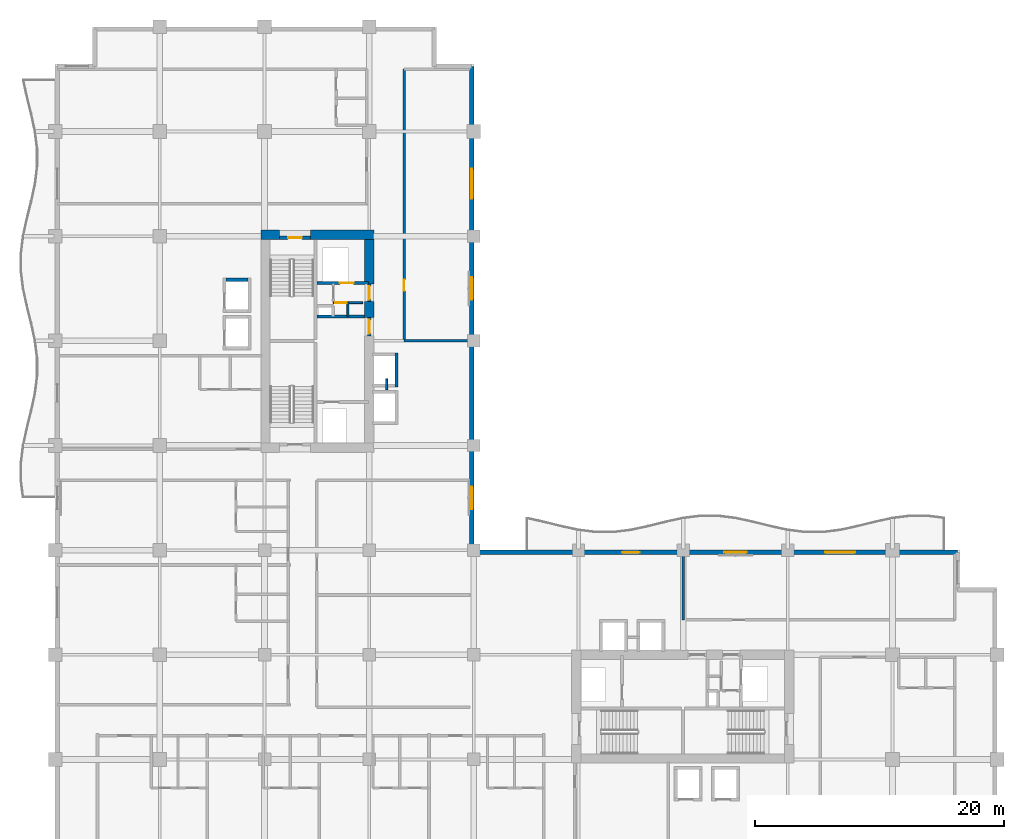
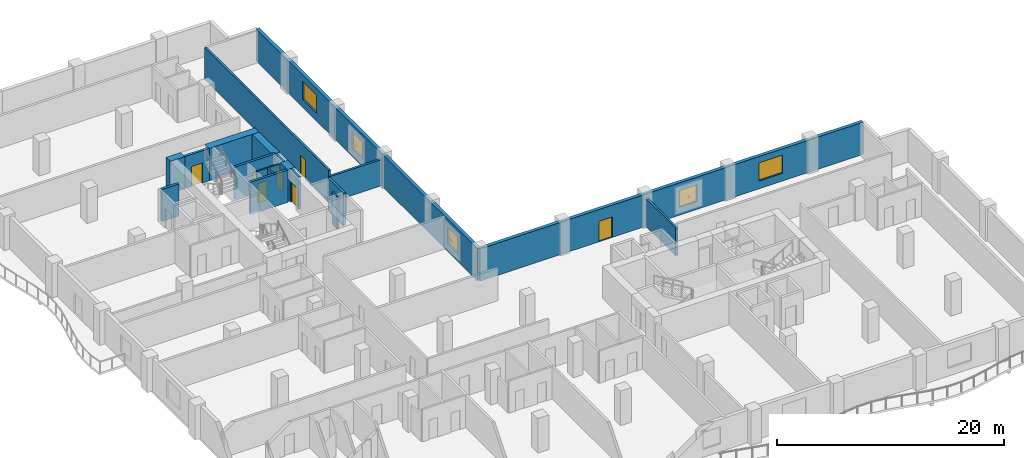
# One storey, part 8 of 16: 19 walls, 7 doors, 5 windows, 12 openings.
"""IFC4 building model written with IfcOpenShell, lengths in metres."""

from ifc_helpers import new_model, si_unit, direction, frame, frame_2d, origin, place, context, subcontext, project, spatial, rectangle, extrude, material, layer, layer_set, type_object, element, fill, save


model = new_model("IFC4")

# Units and contexts
model_context = context("Model", 3, precision=1e-05, world=origin(), true_north=direction((0.0, 1.0)))
body_context = subcontext(model_context, "Body", "Model", "MODEL_VIEW")
ifc_project = project(units=[si_unit("LENGTHUNIT", "METRE"), si_unit("AREAUNIT", "SQUARE_METRE"), si_unit("VOLUMEUNIT", "CUBIC_METRE"), si_unit("PLANEANGLEUNIT", "RADIAN"), si_unit("MASSUNIT", "GRAM", prefix="KILO")], contexts=[model_context])

# Site, building, storey
site_placement = place(None, origin())
site = spatial("IfcSite", under=ifc_project, at=site_placement, CompositionType="ELEMENT")
building_placement = place(site_placement, origin())
building = spatial("IfcBuilding", under=site, at=building_placement, Name="Koriwani Terraces Tower", CompositionType="ELEMENT")
storey_placement = place(building_placement, frame((0.0, 0.0, 171.699951171875)))
storey = spatial("IfcBuildingStorey", under=building, at=storey_placement, Name="L41", CompositionType="ELEMENT", Elevation=171.699951171875)

# Walls
ifc_material_1 = material(Name="Concrete C60/75", Category="concrete")
ifc_layer_1 = layer(ifc_material_1, 0.75, Name="Concrete C60/75")
ifc_layer_set_1 = layer_set([ifc_layer_1], Name="Concrete C60/75")
wall_type_1 = type_object("IfcWallType", Name="WALL_CORE_RC_750", PredefinedType="SHEAR", material=ifc_layer_set_1)
wall_1_placement = place(storey_placement, frame((16.5, 58.925048828125, 0.0), z_axis=(0.0, 0.0, 1.0), x_axis=(1.0, 0.0, 0.0)))
element("IfcWall", 1, at=wall_1_placement, inside=storey, type_object=wall_type_1, Name="L41 West Split Core Shear Wall N1", PredefinedType="SHEAR", context=body_context, shape_type="SweptSolid", body=[
    extrude(rectangle(XDim=1.5, YDim=0.75, at=frame_2d((0.75, 0.0))), origin(), (0.0, 0.0, 1.0), 3.469970703125),
])
wall_2_placement = place(storey_placement, frame((20.5, 58.925048828125, 0.0), z_axis=(0.0, 0.0, 1.0), x_axis=(1.0, 0.0, 0.0)))
element("IfcWall", 2, at=wall_2_placement, inside=storey, type_object=wall_type_1, Name="L41 West Split Core Shear Wall N2", PredefinedType="SHEAR", context=body_context, shape_type="SweptSolid", body=[
    extrude(rectangle(XDim=5.074951171875, YDim=0.75, at=frame_2d((2.53759765625, 0.0))), origin(), (0.0, 0.0, 1.0), 3.469970703125),
])
wall_3_placement = place(storey_placement, frame((25.199951171875, 52.280029296875, 0.0), z_axis=(0.0, 0.0, 1.0), x_axis=(0.0, 1.0, 0.0)))
element("IfcWall", 3, at=wall_3_placement, inside=storey, type_object=wall_type_1, Name="L41 West Split Core Shear Wall E2", PredefinedType="SHEAR", context=body_context, shape_type="SweptSolid", body=[
    extrude(rectangle(XDim=1.27001953125, YDim=0.75, at=frame_2d((0.635009765625, 0.0))), origin(), (0.0, 0.0, 1.0), 3.469970703125),
])
wall_4_placement = place(storey_placement, frame((25.199951171875, 54.949951171875, 0.0), z_axis=(0.0, 0.0, 1.0), x_axis=(0.0, 1.0, 0.0)))
element("IfcWall", 4, at=wall_4_placement, inside=storey, type_object=wall_type_1, Name="L41 West Split Core Shear Wall E3", PredefinedType="SHEAR", context=body_context, shape_type="SweptSolid", body=[
    extrude(rectangle(XDim=3.60009765625, YDim=0.75, at=frame_2d((1.800048828125, 0.0))), origin(), (0.0, 0.0, 1.0), 3.469970703125),
])

# Wall, opening, door
ifc_material_2 = material(Name="Autoclaved Cellular Concrete Blockwork", Category="masonry")
ifc_layer_2 = layer(ifc_material_2, 0.199951171875, Name="Autoclaved Cellular Concrete Blockwork")
ifc_layer_set_2 = layer_set([ifc_layer_2], Name="Autoclaved Cellular Concrete Blockwork")
wall_type_2 = type_object("IfcWallType", Name="WALL_CORRIDOR_200", PredefinedType="PARTITIONING", material=ifc_layer_set_2)
wall_5_placement = place(storey_placement, frame((28.0, 50.39990234375, 0.0), z_axis=(0.0, 0.0, 1.0), x_axis=(0.0, 1.0, 0.0)))
wall_5 = element("IfcWall", 5, at=wall_5_placement, inside=storey, type_object=wall_type_2, Name="L41 Interior Wall WNEC-W-L41", PredefinedType="PARTITIONING", context=body_context, shape_type="SweptSolid", body=[
    extrude(rectangle(XDim=21.800048828125, YDim=0.199951171875, at=frame_2d((10.89990234375, 0.0))), origin(), (0.0, 0.0, 1.0), 3.469970703125),
])
opening_1_placement = place(wall_5_placement, frame((4.0, 0.0, 0.0)))
opening_1 = element("IfcOpeningElement", 6, at=opening_1_placement, cuts=wall_5, Name="Opening D-06", PredefinedType="OPENING", context=body_context, shape_type="SweptSolid", body=[
    extrude(rectangle(XDim=0.919921875, YDim=2.10009765625, at=frame_2d((0.4599609375, 1.050048828125))), frame((0.0, 0.10986328125, 0.0), z_axis=(0.0, -1.0, 0.0), x_axis=(1.0, 0.0, 0.0)), (0.0, 0.0, 1.0), 0.219970703125),
])
ifc_material_3 = material(Name="Architectural Oak Fire Door", Category="wood")
door_type_1 = type_object("IfcDoorType", Name="DOOR_ROOM_INT_920X2100", OperationType="NOTDEFINED", PredefinedType="DOOR", material=ifc_material_3)
door_1_placement = place(opening_1_placement, origin())
door_1 = element("IfcDoor", 7, at=door_1_placement, inside=storey, type_object=door_type_1, Name="L41 North Court Study Door", OperationType="SINGLE_SWING_RIGHT", OverallHeight=2.10009765625, OverallWidth=0.919921875, PredefinedType="DOOR", context=body_context, shape_type="SweptSolid", body=[
    extrude(rectangle(XDim=0.919921875, YDim=2.10009765625, at=frame_2d((0.4599609375, 1.050048828125))), frame((0.0, 0.02490234375, 0.0), z_axis=(0.0, -1.0, 0.0), x_axis=(1.0, 0.0, 0.0)), (0.0, 0.0, 1.0), 0.050048828125),
])
fill(opening_1, door_1)

# Walls
ifc_layer_3 = layer(ifc_material_2, 0.219970703125, Name="Autoclaved Cellular Concrete Blockwork")
ifc_layer_set_3 = layer_set([ifc_layer_3], Name="Autoclaved Cellular Concrete Blockwork")
wall_type_3 = type_object("IfcWallType", Name="WALL_DEMISING_220", PredefinedType="PARTITIONING", material=ifc_layer_set_3)
wall_6_placement = place(storey_placement, frame((28.0, 50.39990234375, 0.0), z_axis=(0.0, 0.0, 1.0), x_axis=(1.0, 0.0, 0.0)))
element("IfcWall", 8, at=wall_6_placement, inside=storey, type_object=wall_type_3, Name="L41 Interior Wall WNEC-S-L41", PredefinedType="PARTITIONING", context=body_context, shape_type="SweptSolid", body=[
    extrude(rectangle(XDim=5.300048828125, YDim=0.219970703125, at=frame_2d((2.64990234375, 0.0))), origin(), (0.0, 0.0, 1.0), 2.820068359375),
])
wall_7_placement = place(storey_placement, frame((50.39990234375, 28.0, 0.0), z_axis=(0.0, 0.0, 1.0), x_axis=(0.0, 1.0, 0.0)))
element("IfcWall", 9, at=wall_7_placement, inside=storey, type_object=wall_type_3, Name="L41 Interior Wall WSEC-W-L41", PredefinedType="PARTITIONING", context=body_context, shape_type="SweptSolid", body=[
    extrude(rectangle(XDim=5.300048828125, YDim=0.219970703125, at=frame_2d((2.64990234375, 0.0))), origin(), (0.0, 0.0, 1.0), 3.007080078125),
])

# Wall, openings, windows
ifc_material_4 = material(Name="Concrete C50/60", Category="concrete")
ifc_layer_4 = layer(ifc_material_4, 0.35009765625, Name="Concrete C50/60")
ifc_layer_set_4 = layer_set([ifc_layer_4], Name="Concrete C50/60")
wall_type_4 = type_object("IfcWallType", Name="WALL_EXT_BRUTALIST_350", PredefinedType="STANDARD", material=ifc_layer_set_4)
wall_8_placement = place(storey_placement, frame((33.425048828125, 72.425048828125, 0.0), z_axis=(0.0, 0.0, 1.0), x_axis=(0.0, -1.0, 0.0)))
wall_8 = element("IfcWall", 10, at=wall_8_placement, inside=storey, type_object=wall_type_4, Name="L41 Fair-Faced Brutalist Exterior Wall (NW_IN)", PredefinedType="STANDARD", context=body_context, shape_type="SweptSolid", body=[
    extrude(rectangle(XDim=39.0, YDim=0.35009765625, at=frame_2d((19.5, 0.0))), origin(), (0.0, 0.0, 1.0), 3.469970703125),
])
opening_2_placement = place(wall_8_placement, frame((33.72509765625, 0.0, 0.85009765625)))
opening_2 = element("IfcOpeningElement", 11, at=opening_2_placement, cuts=wall_8, Name="Opening W-04", PredefinedType="OPENING", context=body_context, shape_type="SweptSolid", body=[
    extrude(rectangle(XDim=1.800048828125, YDim=1.800048828125, at=frame_2d((0.89990234375, 0.89990234375))), frame((0.0, 0.18505859375, 0.0), z_axis=(0.0, -1.0, 0.0), x_axis=(1.0, 0.0, 0.0)), (0.0, 0.0, 1.0), 0.3701171875),
])
opening_3_placement = place(wall_8_placement, frame((16.925048828125, 0.0, 0.85009765625)))
opening_3 = element("IfcOpeningElement", 12, at=opening_3_placement, cuts=wall_8, Name="Opening W-04", PredefinedType="OPENING", context=body_context, shape_type="SweptSolid", body=[
    extrude(rectangle(XDim=1.800048828125, YDim=1.800048828125, at=frame_2d((0.89990234375, 0.89990234375))), frame((0.0, 0.18505859375, 0.0), z_axis=(0.0, -1.0, 0.0), x_axis=(1.0, 0.0, 0.0)), (0.0, 0.0, 1.0), 0.3701171875),
])
opening_4_placement = place(wall_8_placement, frame((8.22509765625, 0.0, 0.85009765625)))
opening_4 = element("IfcOpeningElement", 13, at=opening_4_placement, cuts=wall_8, Name="Opening W-03", PredefinedType="OPENING", context=body_context, shape_type="SweptSolid", body=[
    extrude(rectangle(XDim=2.39990234375, YDim=1.949951171875, at=frame_2d((1.199951171875, 0.97509765625))), frame((0.0, 0.18505859375, 0.0), z_axis=(0.0, -1.0, 0.0), x_axis=(1.0, 0.0, 0.0)), (0.0, 0.0, 1.0), 0.3701171875),
])
ifc_material_5 = material(Name="Tempered Laminated Low-E Glass", Category="glass")
window_type_1 = type_object("IfcWindowType", Name="WIN_RES_BED_1800X1800", PartitioningType="DOUBLE_PANEL_VERTICAL", PredefinedType="WINDOW", material=ifc_material_5)
window_1_placement = place(opening_2_placement, origin())
window_1 = element("IfcWindow", 14, at=window_1_placement, inside=storey, type_object=window_type_1, Name="L41 Exterior Window (NW_IN-2)", OverallHeight=1.800048828125, OverallWidth=1.800048828125, PartitioningType="SINGLE_PANEL", PredefinedType="WINDOW", context=body_context, shape_type="SweptSolid", body=[
    extrude(rectangle(XDim=1.800048828125, YDim=1.800048828125, at=frame_2d((0.89990234375, 0.89990234375))), frame((0.0, 0.030029296875, 0.0), z_axis=(0.0, -1.0, 0.0), x_axis=(1.0, 0.0, 0.0)), (0.0, 0.0, 1.0), 0.06005859375),
])
fill(opening_2, window_1)
window_2_placement = place(opening_3_placement, origin())
window_2 = element("IfcWindow", 15, at=window_2_placement, inside=storey, type_object=window_type_1, Name="L41 Exterior Window (NW_IN-8)", OverallHeight=1.800048828125, OverallWidth=1.800048828125, PartitioningType="SINGLE_PANEL", PredefinedType="WINDOW", context=body_context, shape_type="SweptSolid", body=[
    extrude(rectangle(XDim=1.800048828125, YDim=1.800048828125, at=frame_2d((0.89990234375, 0.89990234375))), frame((0.0, 0.030029296875, 0.0), z_axis=(0.0, -1.0, 0.0), x_axis=(1.0, 0.0, 0.0)), (0.0, 0.0, 1.0), 0.06005859375),
])
fill(opening_3, window_2)
window_type_2 = type_object("IfcWindowType", Name="WIN_RES_LIVING_2400X1950", PartitioningType="DOUBLE_PANEL_VERTICAL", PredefinedType="WINDOW", material=ifc_material_5)
window_3_placement = place(opening_4_placement, origin())
window_3 = element("IfcWindow", 16, at=window_3_placement, inside=storey, type_object=window_type_2, Name="L41 Exterior Window (NW_IN-11)", OverallHeight=1.949951171875, OverallWidth=2.39990234375, PartitioningType="SINGLE_PANEL", PredefinedType="WINDOW", context=body_context, shape_type="SweptSolid", body=[
    extrude(rectangle(XDim=2.39990234375, YDim=1.949951171875, at=frame_2d((1.199951171875, 0.97509765625))), frame((0.0, 0.030029296875, 0.0), z_axis=(0.0, -1.0, 0.0), x_axis=(1.0, 0.0, 0.0)), (0.0, 0.0, 1.0), 0.06005859375),
])
fill(opening_4, window_3)

# Wall, openings, door, windows
wall_9_placement = place(storey_placement, frame((33.425048828125, 33.425048828125, 0.0), z_axis=(0.0, 0.0, 1.0), x_axis=(1.0, 0.0, 0.0)))
wall_9 = element("IfcWall", 17, at=wall_9_placement, inside=storey, type_object=wall_type_4, Name="L41 Fair-Faced Brutalist Exterior Wall (NE)", PredefinedType="STANDARD", context=body_context, shape_type="SweptSolid", body=[
    extrude(rectangle(XDim=39.0, YDim=0.35009765625, at=frame_2d((19.5, 0.0))), origin(), (0.0, 0.0, 1.0), 3.469970703125),
])
opening_5_placement = place(wall_9_placement, frame((12.074951171875, 0.0, 0.0)))
opening_5 = element("IfcOpeningElement", 18, at=opening_5_placement, cuts=wall_9, Name="Opening D-09", PredefinedType="OPENING", context=body_context, shape_type="SweptSolid", body=[
    extrude(rectangle(XDim=1.39990234375, YDim=2.199951171875, at=frame_2d((0.699951171875, 1.10009765625))), frame((0.0, 0.18505859375, 0.0), z_axis=(0.0, -1.0, 0.0), x_axis=(1.0, 0.0, 0.0)), (0.0, 0.0, 1.0), 0.3701171875),
])
opening_6_placement = place(wall_9_placement, frame((20.27490234375, 0.0, 0.85009765625)))
opening_6 = element("IfcOpeningElement", 19, at=opening_6_placement, cuts=wall_9, Name="Opening W-04", PredefinedType="OPENING", context=body_context, shape_type="SweptSolid", body=[
    extrude(rectangle(XDim=1.800048828125, YDim=1.800048828125, at=frame_2d((0.89990234375, 0.89990234375))), frame((0.0, 0.18505859375, 0.0), z_axis=(0.0, -1.0, 0.0), x_axis=(1.0, 0.0, 0.0)), (0.0, 0.0, 1.0), 0.3701171875),
])
opening_7_placement = place(wall_9_placement, frame((28.375, 0.0, 0.85009765625)))
opening_7 = element("IfcOpeningElement", 20, at=opening_7_placement, cuts=wall_9, Name="Opening W-03", PredefinedType="OPENING", context=body_context, shape_type="SweptSolid", body=[
    extrude(rectangle(XDim=2.39990234375, YDim=1.949951171875, at=frame_2d((1.199951171875, 0.97509765625))), frame((0.0, 0.18505859375, 0.0), z_axis=(0.0, -1.0, 0.0), x_axis=(1.0, 0.0, 0.0)), (0.0, 0.0, 1.0), 0.3701171875),
])
ifc_material_6 = material(Name="Anodised Bronze Aluminium", Category="aluminium")
door_type_2 = type_object("IfcDoorType", Name="DOOR_BALCONY_GLAZED_1400X2200", OperationType="NOTDEFINED", PredefinedType="DOOR", material=ifc_material_6)
door_2_placement = place(opening_5_placement, origin())
door_2 = element("IfcDoor", 21, at=door_2_placement, inside=storey, type_object=door_type_2, Name="L41 Inner Court Balcony Glazed Door", OperationType="SINGLE_SWING_LEFT", OverallHeight=2.199951171875, OverallWidth=1.39990234375, PredefinedType="DOOR", context=body_context, shape_type="SweptSolid", body=[
    extrude(rectangle(XDim=1.39990234375, YDim=2.199951171875, at=frame_2d((0.699951171875, 1.10009765625))), frame((0.0, 0.02490234375, 0.0), z_axis=(0.0, -1.0, 0.0), x_axis=(1.0, 0.0, 0.0)), (0.0, 0.0, 1.0), 0.050048828125),
])
fill(opening_5, door_2)
window_4_placement = place(opening_6_placement, origin())
window_4 = element("IfcWindow", 22, at=window_4_placement, inside=storey, type_object=window_type_1, Name="L41 Exterior Window (NE-8)", OverallHeight=1.800048828125, OverallWidth=1.800048828125, PartitioningType="SINGLE_PANEL", PredefinedType="WINDOW", context=body_context, shape_type="SweptSolid", body=[
    extrude(rectangle(XDim=1.800048828125, YDim=1.800048828125, at=frame_2d((0.89990234375, 0.89990234375))), frame((0.0, 0.030029296875, 0.0), z_axis=(0.0, -1.0, 0.0), x_axis=(1.0, 0.0, 0.0)), (0.0, 0.0, 1.0), 0.06005859375),
])
fill(opening_6, window_4)
window_5_placement = place(opening_7_placement, origin())
window_5 = element("IfcWindow", 23, at=window_5_placement, inside=storey, type_object=window_type_2, Name="L41 Exterior Window (NE-11)", OverallHeight=1.949951171875, OverallWidth=2.39990234375, PartitioningType="SINGLE_PANEL", PredefinedType="WINDOW", context=body_context, shape_type="SweptSolid", body=[
    extrude(rectangle(XDim=2.39990234375, YDim=1.949951171875, at=frame_2d((1.199951171875, 0.97509765625))), frame((0.0, 0.030029296875, 0.0), z_axis=(0.0, -1.0, 0.0), x_axis=(1.0, 0.0, 0.0)), (0.0, 0.0, 1.0), 0.06005859375),
])
fill(opening_7, window_5)

# Wall, opening, door
ifc_material_7 = material(Name="Concrete C40/50", Category="concrete")
ifc_layer_5 = layer(ifc_material_7, 0.25, Name="Concrete C40/50")
ifc_layer_set_5 = layer_set([ifc_layer_5], Name="Concrete C40/50")
wall_type_5 = type_object("IfcWallType", Name="WALL_SHAFT_RATED_250", PredefinedType="SOLIDWALL", material=ifc_layer_set_5)
wall_10_placement = place(storey_placement, frame((18.0, 58.675048828125, 0.0), z_axis=(0.0, 0.0, 1.0), x_axis=(1.0, 0.0, 0.0)))
wall_10 = element("IfcWall", 24, at=wall_10_placement, inside=storey, type_object=wall_type_5, Name="L41 Interior Wall WIN-CW-L41-STN", PredefinedType="SOLIDWALL", context=body_context, shape_type="SweptSolid", body=[
    extrude(rectangle(XDim=2.5, YDim=0.25, at=frame_2d((1.25, 0.0))), origin(), (0.0, 0.0, 1.0), 3.469970703125),
])
opening_8_placement = place(wall_10_placement, frame((0.699951171875, 0.0, 0.0)))
opening_8 = element("IfcOpeningElement", 25, at=opening_8_placement, cuts=wall_10, Name="Opening D-03", PredefinedType="OPENING", context=body_context, shape_type="SweptSolid", body=[
    extrude(rectangle(XDim=1.10009765625, YDim=2.14990234375, at=frame_2d((0.550048828125, 1.074951171875))), frame((0.0, 0.135009765625, 0.0), z_axis=(0.0, -1.0, 0.0), x_axis=(1.0, 0.0, 0.0)), (0.0, 0.0, 1.0), 0.27001953125),
])
ifc_material_8 = material(Name="Steel ASTM A572 Grade 50", Category="steel")
door_type_3 = type_object("IfcDoorType", Name="DOOR_STAIR_FIRE_1100X2150", OperationType="NOTDEFINED", PredefinedType="DOOR", material=ifc_material_8)
door_3_placement = place(opening_8_placement, origin())
door_3 = element("IfcDoor", 26, at=door_3_placement, inside=storey, type_object=door_type_3, Name="L41 Exit Stair ST-W2 Door", OperationType="SINGLE_SWING_RIGHT", OverallHeight=2.14990234375, OverallWidth=1.10009765625, PredefinedType="DOOR", context=body_context, shape_type="SweptSolid", body=[
    extrude(rectangle(XDim=1.10009765625, YDim=2.14990234375, at=frame_2d((0.550048828125, 1.074951171875))), frame((0.0, 0.02490234375, 0.0), z_axis=(0.0, -1.0, 0.0), x_axis=(1.0, 0.0, 0.0)), (0.0, 0.0, 1.0), 0.050048828125),
])
fill(opening_8, door_3)

wall_11_placement = place(storey_placement, frame((25.199951171875, 50.800048828125, 0.0), z_axis=(0.0, 0.0, 1.0), x_axis=(0.0, 1.0, 0.0)))
wall_11 = element("IfcWall", 27, at=wall_11_placement, inside=storey, type_object=wall_type_5, Name="L41 Interior Wall WIN-CW-L41-EP", PredefinedType="SOLIDWALL", context=body_context, shape_type="SweptSolid", body=[
    extrude(rectangle(XDim=1.47998046875, YDim=0.25, at=frame_2d((0.739990234375, 0.0))), origin(), (0.0, 0.0, 1.0), 3.469970703125),
])
opening_9_placement = place(wall_11_placement, frame((0.179931640625, 0.0, 0.0)))
opening_9 = element("IfcOpeningElement", 28, at=opening_9_placement, cuts=wall_11, Name="Opening D-03", PredefinedType="OPENING", context=body_context, shape_type="SweptSolid", body=[
    extrude(rectangle(XDim=1.10009765625, YDim=2.14990234375, at=frame_2d((0.550048828125, 1.074951171875))), frame((0.0, 0.135009765625, 0.0), z_axis=(0.0, -1.0, 0.0), x_axis=(1.0, 0.0, 0.0)), (0.0, 0.0, 1.0), 0.27001953125),
])
door_4_placement = place(opening_9_placement, origin())
door_4 = element("IfcDoor", 29, at=door_4_placement, inside=storey, type_object=door_type_3, Name="L41 West Firefighting Lobby Door", OperationType="SINGLE_SWING_LEFT", OverallHeight=2.14990234375, OverallWidth=1.10009765625, PredefinedType="DOOR", context=body_context, shape_type="SweptSolid", body=[
    extrude(rectangle(XDim=1.10009765625, YDim=2.14990234375, at=frame_2d((0.550048828125, 1.074951171875))), frame((0.0, 0.02490234375, 0.0), z_axis=(0.0, -1.0, 0.0), x_axis=(1.0, 0.0, 0.0)), (0.0, 0.0, 1.0), 0.050048828125),
])
fill(opening_9, door_4)

# Wall
wall_12_placement = place(storey_placement, frame((21.0, 52.340087890625, 0.0), z_axis=(0.0, 0.0, 1.0), x_axis=(1.0, 0.0, 0.0)))
element("IfcWall", 30, at=wall_12_placement, inside=storey, type_object=wall_type_5, Name="L41 Interior Wall WIN-CW-L41-FFN", PredefinedType="SOLIDWALL", context=body_context, shape_type="SweptSolid", body=[
    extrude(rectangle(XDim=3.824951171875, YDim=0.25, at=frame_2d((1.91259765625, 0.0))), origin(), (0.0, 0.0, 1.0), 3.469970703125),
])

# Wall, opening, door
wall_13_placement = place(storey_placement, frame((21.0, 55.050048828125, 0.0), z_axis=(0.0, 0.0, 1.0), x_axis=(1.0, 0.0, 0.0)))
wall_13 = element("IfcWall", 31, at=wall_13_placement, inside=storey, type_object=wall_type_5, Name="L41 Interior Wall WIN-CW-L41-SE", PredefinedType="SOLIDWALL", context=body_context, shape_type="SweptSolid", body=[
    extrude(rectangle(XDim=4.14990234375, YDim=0.25, at=frame_2d((2.074951171875, 0.0))), origin(), (0.0, 0.0, 1.0), 3.469970703125),
])
opening_10_placement = place(wall_13_placement, frame((1.85009765625, 0.0, 0.0)))
opening_10 = element("IfcOpeningElement", 32, at=opening_10_placement, cuts=wall_13, Name="Opening LD-01", PredefinedType="OPENING", context=body_context, shape_type="SweptSolid", body=[
    extrude(rectangle(XDim=1.10009765625, YDim=2.14990234375, at=frame_2d((0.550048828125, 1.074951171875))), frame((0.0, 0.135009765625, 0.0), z_axis=(0.0, -1.0, 0.0), x_axis=(1.0, 0.0, 0.0)), (0.0, 0.0, 1.0), 0.27001953125),
])
door_type_4 = type_object("IfcDoorType", Name="DOOR_LIFT_LANDING_1100X2200", OperationType="NOTDEFINED", PredefinedType="DOOR", material=ifc_material_8)
door_5_placement = place(opening_10_placement, origin())
door_5 = element("IfcDoor", 33, at=door_5_placement, inside=storey, type_object=door_type_4, Name="L41 Goods Lift SE-01 Landing Door", OperationType="SLIDING_TO_LEFT", OverallHeight=2.14990234375, OverallWidth=1.10009765625, PredefinedType="DOOR", context=body_context, shape_type="SweptSolid", body=[
    extrude(rectangle(XDim=1.10009765625, YDim=2.14990234375, at=frame_2d((0.550048828125, 1.074951171875))), frame((0.0, 0.02490234375, 0.0), z_axis=(0.0, -1.0, 0.0), x_axis=(1.0, 0.0, 0.0)), (0.0, 0.0, 1.0), 0.050048828125),
])
fill(opening_10, door_5)

wall_14_placement = place(storey_placement, frame((25.199951171875, 53.550048828125, 0.0), z_axis=(0.0, 0.0, 1.0), x_axis=(0.0, 1.0, 0.0)))
wall_14 = element("IfcWall", 34, at=wall_14_placement, inside=storey, type_object=wall_type_5, Name="L41 Interior Wall WIN-CW-L41-EP2", PredefinedType="SOLIDWALL", context=body_context, shape_type="SweptSolid", body=[
    extrude(rectangle(XDim=1.39990234375, YDim=0.25, at=frame_2d((0.699951171875, 0.0))), origin(), (0.0, 0.0, 1.0), 3.469970703125),
])
opening_11_placement = place(wall_14_placement, frame((0.14990234375, 0.0, 0.0)))
opening_11 = element("IfcOpeningElement", 35, at=opening_11_placement, cuts=wall_14, Name="Opening D-03", PredefinedType="OPENING", context=body_context, shape_type="SweptSolid", body=[
    extrude(rectangle(XDim=1.10009765625, YDim=2.14990234375, at=frame_2d((0.550048828125, 1.074951171875))), frame((0.0, 0.135009765625, 0.0), z_axis=(0.0, -1.0, 0.0), x_axis=(1.0, 0.0, 0.0)), (0.0, 0.0, 1.0), 0.27001953125),
])
door_6_placement = place(opening_11_placement, origin())
door_6 = element("IfcDoor", 36, at=door_6_placement, inside=storey, type_object=door_type_3, Name="L41 West Goods Lift Lobby Door", OperationType="SINGLE_SWING_RIGHT", OverallHeight=2.14990234375, OverallWidth=1.10009765625, PredefinedType="DOOR", context=body_context, shape_type="SweptSolid", body=[
    extrude(rectangle(XDim=1.10009765625, YDim=2.14990234375, at=frame_2d((0.550048828125, 1.074951171875))), frame((0.0, 0.02490234375, 0.0), z_axis=(0.0, -1.0, 0.0), x_axis=(1.0, 0.0, 0.0)), (0.0, 0.0, 1.0), 0.050048828125),
])
fill(opening_11, door_6)

# Walls
wall_15_placement = place(storey_placement, frame((13.72509765625, 55.300048828125, 0.0), z_axis=(0.0, 0.0, 1.0), x_axis=(1.0, 0.0, 0.0)))
element("IfcWall", 37, at=wall_15_placement, inside=storey, type_object=wall_type_5, Name="L41 Interior Wall WIN-LF-PE-M2-L41-N", PredefinedType="SOLIDWALL", context=body_context, shape_type="SweptSolid", body=[
    extrude(rectangle(XDim=1.75, YDim=0.25, at=frame_2d((0.875, 0.0))), origin(), (0.0, 0.0, 1.0), 3.469970703125),
])
wall_16_placement = place(storey_placement, frame((27.39990234375, 46.675048828125, 0.0), z_axis=(0.0, 0.0, 1.0), x_axis=(0.0, 1.0, 0.0)))
element("IfcWall", 38, at=wall_16_placement, inside=storey, type_object=wall_type_5, Name="L41 Interior Wall WIN-LF-PE-H2-L41-F", PredefinedType="SOLIDWALL", context=body_context, shape_type="SweptSolid", body=[
    extrude(rectangle(XDim=2.75, YDim=0.25, at=frame_2d((1.375, 0.0))), origin(), (0.0, 0.0, 1.0), 3.469970703125),
])

# Wall, opening, door
ifc_material_9 = material(Name="Fire-Rated Acoustic Gypsum Partition", Category="masonry")
ifc_layer_6 = layer(ifc_material_9, 0.159912109375, Name="Fire-Rated Acoustic Gypsum Partition")
ifc_layer_set_6 = layer_set([ifc_layer_6], Name="Fire-Rated Acoustic Gypsum Partition")
wall_type_6 = type_object("IfcWallType", Name="WALL_SUITE_160", PredefinedType="PARTITIONING", material=ifc_layer_set_6)
wall_17_placement = place(storey_placement, frame((22.320068359375, 53.4599609375, 0.0), z_axis=(0.0, 0.0, 1.0), x_axis=(1.0, 0.0, 0.0)))
wall_17 = element("IfcWall", 39, at=wall_17_placement, inside=storey, type_object=wall_type_6, Name="L41 Interior Wall WIN-CW-L41-SV2H", PredefinedType="PARTITIONING", context=body_context, shape_type="SweptSolid", body=[
    extrude(rectangle(XDim=2.35986328125, YDim=0.159912109375, at=frame_2d((1.179931640625, 0.0))), origin(), (0.0, 0.0, 1.0), 3.469970703125),
])
opening_12_placement = place(wall_17_placement, frame((0.159912109375, 0.0, 0.0)))
opening_12 = element("IfcOpeningElement", 40, at=opening_12_placement, cuts=wall_17, Name="Opening D-07", PredefinedType="OPENING", context=body_context, shape_type="SweptSolid", body=[
    extrude(rectangle(XDim=0.89990234375, YDim=2.10009765625, at=frame_2d((0.449951171875, 1.050048828125))), frame((0.0, 0.08984375, 0.0), z_axis=(0.0, -1.0, 0.0), x_axis=(1.0, 0.0, 0.0)), (0.0, 0.0, 1.0), 0.179931640625),
])
door_type_5 = type_object("IfcDoorType", Name="DOOR_BATH_INT_900X2100", OperationType="NOTDEFINED", PredefinedType="DOOR", material=ifc_material_3)
door_7_placement = place(opening_12_placement, origin())
door_7 = element("IfcDoor", 41, at=door_7_placement, inside=storey, type_object=door_type_5, Name="L41 West Valve Room Door", OperationType="SINGLE_SWING_RIGHT", OverallHeight=2.10009765625, OverallWidth=0.89990234375, PredefinedType="DOOR", context=body_context, shape_type="SweptSolid", body=[
    extrude(rectangle(XDim=0.89990234375, YDim=2.10009765625, at=frame_2d((0.449951171875, 1.050048828125))), frame((0.0, 0.02490234375, 0.0), z_axis=(0.0, -1.0, 0.0), x_axis=(1.0, 0.0, 0.0)), (0.0, 0.0, 1.0), 0.050048828125),
])
fill(opening_12, door_7)

# Walls
wall_18_placement = place(storey_placement, frame((23.47998046875, 52.360107421875, 0.0), z_axis=(0.0, 0.0, 1.0), x_axis=(0.0, 1.0, 0.0)))
element("IfcWall", 42, at=wall_18_placement, inside=storey, type_object=wall_type_6, Name="L41 Interior Wall WIN-CW-L41-SV2V", PredefinedType="PARTITIONING", context=body_context, shape_type="SweptSolid", body=[
    extrude(rectangle(XDim=1.099853515625, YDim=0.159912109375, at=frame_2d((0.5498046875, 0.0))), origin(), (0.0, 0.0, 1.0), 3.469970703125),
])
wall_19_placement = place(storey_placement, frame((26.60009765625, 46.4599609375, 0.0), z_axis=(0.0, 0.0, 1.0), x_axis=(0.0, 1.0, 0.0)))
element("IfcWall", 43, at=wall_19_placement, inside=storey, type_object=wall_type_6, Name="L41 Interior Wall WIN-LF-PEH12-MID-L41", PredefinedType="PARTITIONING", context=body_context, shape_type="SweptSolid", body=[
    extrude(rectangle(XDim=0.880126953125, YDim=0.159912109375, at=frame_2d((0.43994140625, 0.0))), origin(), (0.0, 0.0, 1.0), 3.469970703125),
])

save(model, "model.ifc")
